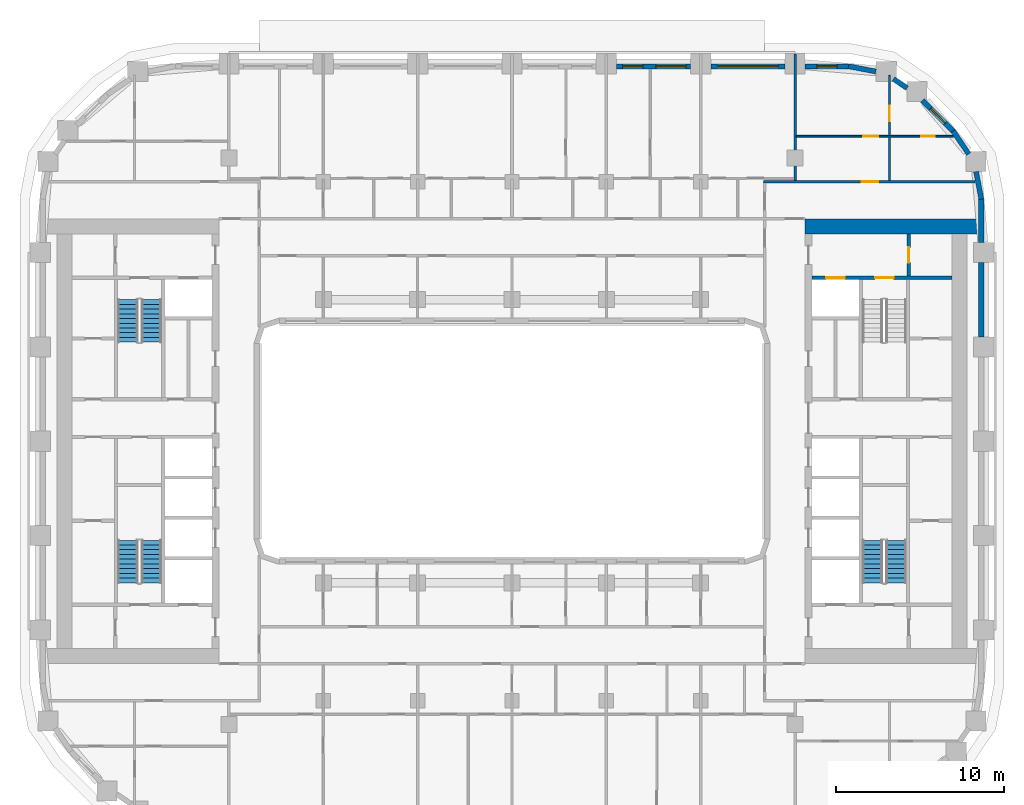
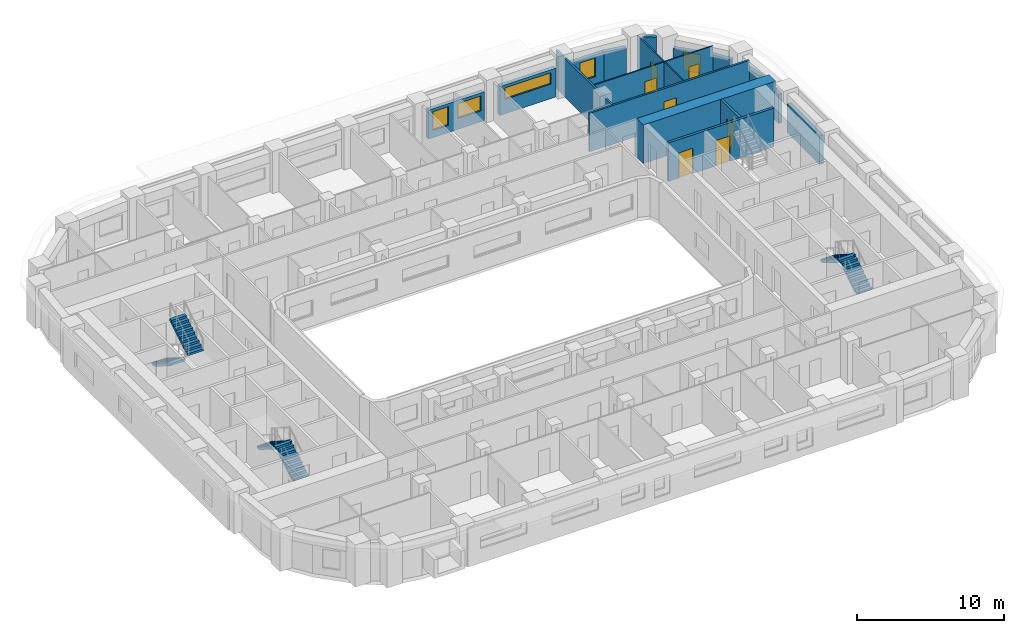
# One storey, part 11 of 23: 18 walls, 7 doors, 6 stair flights, 5 windows, 12 openings, 3 elements without a shape of their own.
"""IFC4 building model written with IfcOpenShell, lengths in metres."""

from ifc_helpers import new_model, si_unit, direction, frame, frame_2d, origin, place, context, subcontext, project, spatial, polyline, rectangle, outline, extrude, material, layer, layer_set, type_object, element, fill, aggregate, save


model = new_model("IFC4")

# Units and contexts
model_context = context("Model", 3, precision=1e-05, world=origin(), true_north=direction((0.0, 1.0)))
body_context = subcontext(model_context, "Body", "Model", "MODEL_VIEW")
ifc_project = project(units=[si_unit("LENGTHUNIT", "METRE"), si_unit("AREAUNIT", "SQUARE_METRE"), si_unit("VOLUMEUNIT", "CUBIC_METRE"), si_unit("PLANEANGLEUNIT", "RADIAN"), si_unit("MASSUNIT", "GRAM", prefix="KILO")], contexts=[model_context])

# Site, building, storey
site_placement = place(None, origin())
site = spatial("IfcSite", under=ifc_project, at=site_placement, CompositionType="ELEMENT")
building_placement = place(site_placement, origin())
building = spatial("IfcBuilding", under=site, at=building_placement, Name="Kiln Ring Residences", CompositionType="ELEMENT")
storey_placement = place(building_placement, frame((0.0, 0.0, 118.300048828125)))
storey = spatial("IfcBuildingStorey", under=building, at=storey_placement, Name="L30", CompositionType="ELEMENT", Elevation=118.300048828125)

# Wall, opening, door
ifc_material_1 = material(Name="Gypsum board on steel studs", Category="steel")
ifc_layer_1 = layer(ifc_material_1, 0.199951171875)
ifc_layer_set_1 = layer_set([ifc_layer_1], Name="CORE-PARTITION-200")
wall_type_1 = type_object("IfcWallType", Name="CORE-PARTITION-200", PredefinedType="PARTITIONING", material=ifc_layer_set_1)
wall_1_placement = place(storey_placement, frame((23.550048828125, 9.800048828125, 0.0), z_axis=(0.0, 0.0, 1.0), x_axis=(0.0, 1.0, 0.0)))
wall_1 = element("IfcWall", 1, at=wall_1_placement, inside=storey, type_object=wall_type_1, Name="Core partition east L30 4", PredefinedType="PARTITIONING", context=body_context, shape_type="SweptSolid", body=[
    extrude(rectangle(XDim=2.5, YDim=0.199951171875, at=frame_2d((1.25, 0.0))), origin(), (0.0, 0.0, 1.0), 3.199951171875),
])
opening_1_placement = place(wall_1_placement, frame((0.800048828125, 0.0, 0.0)))
opening_1 = element("IfcOpeningElement", 2, at=opening_1_placement, cuts=wall_1, Name="Opening L30-CE10", PredefinedType="OPENING", context=body_context, shape_type="SweptSolid", body=[
    extrude(rectangle(XDim=0.89990234375, YDim=2.10009765625, at=frame_2d((0.449951171875, 1.050048828125))), frame((0.0, 0.10986328125, 0.0), z_axis=(0.0, -1.0, 0.0), x_axis=(1.0, 0.0, 0.0)), (0.0, 0.0, 1.0), 0.219970703125),
])
ifc_material_2 = material(Name="Steel door leaf", Category="steel")
door_type_1 = type_object("IfcDoorType", Name="CORE-DOOR-ROOM", OperationType="SINGLE_SWING_LEFT", PredefinedType="DOOR", material=ifc_material_2)
door_1_placement = place(opening_1_placement, origin())
door_1 = element("IfcDoor", 3, at=door_1_placement, inside=storey, type_object=door_type_1, Name="Fire riser room L30-CE10", OperationType="SINGLE_SWING_LEFT", OverallHeight=2.10009765625, OverallWidth=0.89990234375, PredefinedType="DOOR", context=body_context, shape_type="SweptSolid", body=[
    extrude(rectangle(XDim=0.89990234375, YDim=2.10009765625, at=frame_2d((0.449951171875, 1.050048828125))), frame((0.0, 0.02490234375, 0.0), z_axis=(0.0, -1.0, 0.0), x_axis=(1.0, 0.0, 0.0)), (0.0, 0.0, 1.0), 0.050048828125),
])
fill(opening_1, door_1)

# Wall, openings, doors
ifc_material_3 = material(Name="Concrete C40/50", Category="concrete")
ifc_layer_2 = layer(ifc_material_3, 0.199951171875)
ifc_layer_set_2 = layer_set([ifc_layer_2], Name="CORE-WALL-RC200")
wall_type_2 = type_object("IfcWallType", Name="CORE-WALL-RC200", PredefinedType="SHEAR", material=ifc_layer_set_2)
wall_2_placement = place(storey_placement, frame((17.800048828125, 9.699951171875, 0.0), z_axis=(0.0, 0.0, 1.0), x_axis=(1.0, 0.0, 0.0)))
wall_2 = element("IfcWall", 4, at=wall_2_placement, inside=storey, type_object=wall_type_2, Name="Core wall east L30 9", PredefinedType="SHEAR", context=body_context, shape_type="SweptSolid", body=[
    extrude(rectangle(XDim=8.300048828125, YDim=0.199951171875, at=frame_2d((4.14990234375, 0.0))), origin(), (0.0, 0.0, 1.0), 3.199951171875),
])
opening_2_placement = place(wall_2_placement, frame((0.85009765625, 0.0, 0.0)))
opening_2 = element("IfcOpeningElement", 5, at=opening_2_placement, cuts=wall_2, Name="Opening L30-CE07", PredefinedType="OPENING", context=body_context, shape_type="SweptSolid", body=[
    extrude(rectangle(XDim=1.10009765625, YDim=2.10009765625, at=frame_2d((0.550048828125, 1.050048828125))), frame((0.0, 0.10986328125, 0.0), z_axis=(0.0, -1.0, 0.0), x_axis=(1.0, 0.0, 0.0)), (0.0, 0.0, 1.0), 0.219970703125),
])
opening_3_placement = place(wall_2_placement, frame((3.75, 0.0, 0.0)))
opening_3 = element("IfcOpeningElement", 6, at=opening_3_placement, cuts=wall_2, Name="Opening L30-CE12", PredefinedType="OPENING", context=body_context, shape_type="SweptSolid", body=[
    extrude(rectangle(XDim=1.10009765625, YDim=2.10009765625, at=frame_2d((0.550048828125, 1.050048828125))), frame((0.0, 0.10986328125, 0.0), z_axis=(0.0, -1.0, 0.0), x_axis=(1.0, 0.0, 0.0)), (0.0, 0.0, 1.0), 0.219970703125),
])
ifc_material_4 = material(Name="Steel door leaf", Category="steel")
door_type_2 = type_object("IfcDoorType", Name="CORE-DOOR-LD", OperationType="DOUBLE_DOOR_SLIDING", PredefinedType="DOOR", material=ifc_material_4)
door_2_placement = place(opening_2_placement, origin())
door_2 = element("IfcDoor", 7, at=door_2_placement, inside=storey, type_object=door_type_2, Name="LD E-FF L30-CE07", OperationType="DOUBLE_DOOR_SLIDING", OverallHeight=2.10009765625, OverallWidth=1.10009765625, PredefinedType="DOOR", context=body_context, shape_type="SweptSolid", body=[
    extrude(rectangle(XDim=1.10009765625, YDim=2.10009765625, at=frame_2d((0.550048828125, 1.050048828125))), frame((0.0, 0.02490234375, 0.0), z_axis=(0.0, -1.0, 0.0), x_axis=(1.0, 0.0, 0.0)), (0.0, 0.0, 1.0), 0.050048828125),
])
fill(opening_2, door_2)
ifc_material_5 = material(Name="Steel door leaf", Category="steel")
door_type_3 = type_object("IfcDoorType", Name="CORE-DOOR-STAIR", OperationType="SINGLE_SWING_LEFT", PredefinedType="DOOR", material=ifc_material_5)
door_3_placement = place(opening_3_placement, origin())
door_3 = element("IfcDoor", 8, at=door_3_placement, inside=storey, type_object=door_type_3, Name="Stair E-STN L30-CE12", OperationType="SINGLE_SWING_LEFT", OverallHeight=2.10009765625, OverallWidth=1.10009765625, PredefinedType="DOOR", context=body_context, shape_type="SweptSolid", body=[
    extrude(rectangle(XDim=1.10009765625, YDim=2.10009765625, at=frame_2d((0.550048828125, 1.050048828125))), frame((0.0, 0.02490234375, 0.0), z_axis=(0.0, -1.0, 0.0), x_axis=(1.0, 0.0, 0.0)), (0.0, 0.0, 1.0), 0.050048828125),
])
fill(opening_3, door_3)

# Walls
ifc_material_6 = material(Name="Concrete C60/75", Category="concrete")
ifc_layer_3 = layer(ifc_material_6, 0.89990234375)
ifc_layer_set_3 = layer_set([ifc_layer_3], Name="CORE-WALL-RC900")
wall_type_3 = type_object("IfcWallType", Name="CORE-WALL-RC900", PredefinedType="SHEAR", material=ifc_layer_set_3)
wall_3_placement = place(storey_placement, frame((17.39990234375, 12.75, 0.0), z_axis=(0.0, 0.0, 1.0), x_axis=(1.0, 0.0, 0.0)))
element("IfcWall", 9, at=wall_3_placement, inside=storey, type_object=wall_type_3, Name="Core wall east L30 4", PredefinedType="SHEAR", context=body_context, shape_type="SweptSolid", body=[
    extrude(rectangle(XDim=10.400146484375, YDim=0.89990234375, at=frame_2d((5.2001953125, 0.0))), origin(), (0.0, 0.0, 1.0), 3.199951171875),
])
ifc_material_7 = material(Name="Brick masonry, dark clay brick", Category="masonry")
ifc_layer_4 = layer(ifc_material_7, 0.300048828125)
ifc_layer_set_4 = layer_set([ifc_layer_4], Name="EW-300 BRICK WALL")
wall_type_4 = type_object("IfcWallType", Name="EW-300 BRICK WALL", PredefinedType="SOLIDWALL", material=ifc_layer_set_4)
wall_4_placement = place(storey_placement, frame((27.85009765625, 6.199951171875, 0.0), z_axis=(0.0, 0.0, 1.0), x_axis=(0.0, 1.0, 0.0)))
element("IfcWall", 10, at=wall_4_placement, inside=storey, type_object=wall_type_4, Name="Facade wall L30 21", PredefinedType="SOLIDWALL", context=body_context, shape_type="SweptSolid", body=[
    extrude(rectangle(XDim=4.400146484375, YDim=0.300048828125, at=frame_2d((2.2001953125, 0.0))), origin(), (0.0, 0.0, 1.0), 2.39990234375),
])
wall_5_placement = place(storey_placement, frame((27.85009765625, 11.800048828125, 0.0), z_axis=(0.0, 0.0, 1.0), x_axis=(0.0, 1.0, 0.0)))
element("IfcWall", 11, at=wall_5_placement, inside=storey, type_object=wall_type_4, Name="Facade wall L30 22", PredefinedType="SOLIDWALL", context=body_context, shape_type="SweptSolid", body=[
    extrude(rectangle(XDim=2.599853515625, YDim=0.300048828125, at=frame_2d((1.2998046875, 0.0))), origin(), (0.0, 0.0, 1.0), 2.39990234375),
])
for number, where, z_axis, x_axis, name in (
    (12, (27.8525390625, 14.371826171875, 0.0), (0.0, 0.0, 1.0), (-0.187349172861, 0.982293381546, 0.0), "Facade wall L30 23"),
    (13, (27.10986328125, 17.04296875, 0.0), (0.0, 0.0, 1.0), (-0.562060017944, 0.82709644917, 0.0), "Facade wall L30 24"),
):
    element("IfcWall", number, at=place(storey_placement, frame(where, z_axis=z_axis, x_axis=x_axis)), inside=storey, type_object=wall_type_4, Name=name, PredefinedType="SOLIDWALL", context=body_context, shape_type="SweptSolid", body=[
        extrude(rectangle(XDim=1.65625, YDim=0.300048828125, at=frame_2d((0.828125, 0.0))), origin(), (0.0, 0.0, 1.0), 2.39990234375),
    ])

# Wall, opening, window
wall_6_placement = place(storey_placement, frame((26.19677734375, 18.390869140625, 0.0), z_axis=(0.0, 0.0, 1.0), x_axis=(-0.707059830104, 0.707153729152, 0.0)))
wall_6 = element("IfcWall", 14, at=wall_6_placement, inside=storey, type_object=wall_type_4, Name="Facade wall L30 25", PredefinedType="SOLIDWALL", context=body_context, shape_type="SweptSolid", body=[
    extrude(rectangle(XDim=2.60009765625, YDim=0.300048828125, at=frame_2d((1.300048828125, 0.0))), origin(), (0.0, 0.0, 1.0), 2.39990234375),
])
opening_4_placement = place(wall_6_placement, frame((0.699951171875, 0.0, 0.60009765625)))
opening_4 = element("IfcOpeningElement", 15, at=opening_4_placement, cuts=wall_6, Name="Opening W1", PredefinedType="OPENING", context=body_context, shape_type="SweptSolid", body=[
    extrude(rectangle(XDim=1.199951171875, YDim=1.550048828125, at=frame_2d((0.60009765625, 0.77490234375))), frame((0.0, 0.159912109375, 0.0), z_axis=(0.0, -1.0, 0.0), x_axis=(1.0, 0.0, 0.0)), (0.0, 0.0, 1.0), 0.320068359375),
])
ifc_material_8 = material(Name="Aluminium frame with double glazing", Category="aluminium")
window_type_1 = type_object("IfcWindowType", Name="WINDOW 1200 x 1550", PartitioningType="SINGLE_PANEL", PredefinedType="WINDOW", material=ifc_material_8)
window_1_placement = place(opening_4_placement, origin())
window_1 = element("IfcWindow", 16, at=window_1_placement, inside=storey, type_object=window_type_1, Name="Window L30 13", OverallHeight=1.550048828125, OverallWidth=1.199951171875, PartitioningType="SINGLE_PANEL", PredefinedType="WINDOW", context=body_context, shape_type="SweptSolid", body=[
    extrude(rectangle(XDim=1.199951171875, YDim=1.550048828125, at=frame_2d((0.60009765625, 0.77490234375))), frame((0.0, 0.030029296875, 0.0), z_axis=(0.0, -1.0, 0.0), x_axis=(1.0, 0.0, 0.0)), (0.0, 0.0, 1.0), 0.06005859375),
])
fill(opening_4, window_1)

# Walls
wall_7_placement = place(storey_placement, frame((23.451171875, 20.96044921875, 0.0), z_axis=(0.0, 0.0, 1.0), x_axis=(-0.827019434577, 0.562173331661, 0.0)))
element("IfcWall", 17, at=wall_7_placement, inside=storey, type_object=wall_type_4, Name="Facade wall L30 26", PredefinedType="SOLIDWALL", context=body_context, shape_type="SweptSolid", body=[
    extrude(rectangle(XDim=0.97705078125, YDim=0.300048828125, at=frame_2d((0.488525390625, 0.0))), origin(), (0.0, 0.0, 1.0), 3.199951171875),
])
wall_8_placement = place(storey_placement, frame((21.5986328125, 21.9423828125, 0.0), z_axis=(0.0, 0.0, 1.0), x_axis=(-0.98228820662, 0.187376303559, 0.0)))
element("IfcWall", 18, at=wall_8_placement, inside=storey, type_object=wall_type_4, Name="Facade wall L30 27", PredefinedType="SOLIDWALL", context=body_context, shape_type="SweptSolid", body=[
    extrude(rectangle(XDim=1.656005859375, YDim=0.300048828125, at=frame_2d((0.828125, 0.0))), origin(), (0.0, 0.0, 1.0), 2.39990234375),
])

# Wall, opening, window
wall_9_placement = place(storey_placement, frame((20.0, 22.25, 0.0), z_axis=(0.0, 0.0, 1.0), x_axis=(-1.0, 0.0, 0.0)))
wall_9 = element("IfcWall", 19, at=wall_9_placement, inside=storey, type_object=wall_type_4, Name="Facade wall L30 28", PredefinedType="SOLIDWALL", context=body_context, shape_type="SweptSolid", body=[
    extrude(rectangle(XDim=2.60009765625, YDim=0.300048828125, at=frame_2d((1.300048828125, 0.0))), origin(), (0.0, 0.0, 1.0), 2.39990234375),
])
opening_5_placement = place(wall_9_placement, frame((0.699951171875, 0.0, 0.60009765625)))
opening_5 = element("IfcOpeningElement", 20, at=opening_5_placement, cuts=wall_9, Name="Opening W1", PredefinedType="OPENING", context=body_context, shape_type="SweptSolid", body=[
    extrude(rectangle(XDim=1.199951171875, YDim=1.550048828125, at=frame_2d((0.60009765625, 0.77490234375))), frame((0.0, 0.159912109375, 0.0), z_axis=(0.0, -1.0, 0.0), x_axis=(1.0, 0.0, 0.0)), (0.0, 0.0, 1.0), 0.320068359375),
])
window_2_placement = place(opening_5_placement, origin())
window_2 = element("IfcWindow", 21, at=window_2_placement, inside=storey, type_object=window_type_1, Name="Window L30 14", OverallHeight=1.550048828125, OverallWidth=1.199951171875, PartitioningType="SINGLE_PANEL", PredefinedType="WINDOW", context=body_context, shape_type="SweptSolid", body=[
    extrude(rectangle(XDim=1.199951171875, YDim=1.550048828125, at=frame_2d((0.60009765625, 0.77490234375))), frame((0.0, 0.030029296875, 0.0), z_axis=(0.0, -1.0, 0.0), x_axis=(1.0, 0.0, 0.0)), (0.0, 0.0, 1.0), 0.06005859375),
])
fill(opening_5, window_2)

wall_10_placement = place(storey_placement, frame((16.199951171875, 22.25, 0.0), z_axis=(0.0, 0.0, 1.0), x_axis=(-1.0, 0.0, 0.0)))
wall_10 = element("IfcWall", 22, at=wall_10_placement, inside=storey, type_object=wall_type_4, Name="Facade wall L30 29", PredefinedType="SOLIDWALL", context=body_context, shape_type="SweptSolid", body=[
    extrude(rectangle(XDim=4.39990234375, YDim=0.300048828125, at=frame_2d((2.199951171875, 0.0))), origin(), (0.0, 0.0, 1.0), 2.39990234375),
])
opening_6_placement = place(wall_10_placement, frame((0.39990234375, 0.0, 1.199951171875)))
opening_6 = element("IfcOpeningElement", 23, at=opening_6_placement, cuts=wall_10, Name="Opening W4", PredefinedType="OPENING", context=body_context, shape_type="SweptSolid", body=[
    extrude(rectangle(XDim=3.60009765625, YDim=0.949951171875, at=frame_2d((1.800048828125, 0.47509765625))), frame((0.0, 0.159912109375, 0.0), z_axis=(0.0, -1.0, 0.0), x_axis=(1.0, 0.0, 0.0)), (0.0, 0.0, 1.0), 0.320068359375),
])
ifc_material_9 = material(Name="Aluminium frame with double glazing", Category="aluminium")
window_type_2 = type_object("IfcWindowType", Name="WINDOW 3600 x 950", PartitioningType="SINGLE_PANEL", PredefinedType="WINDOW", material=ifc_material_9)
window_3_placement = place(opening_6_placement, origin())
window_3 = element("IfcWindow", 24, at=window_3_placement, inside=storey, type_object=window_type_2, Name="Window L30 15", OverallHeight=0.949951171875, OverallWidth=3.60009765625, PartitioningType="SINGLE_PANEL", PredefinedType="WINDOW", context=body_context, shape_type="SweptSolid", body=[
    extrude(rectangle(XDim=3.60009765625, YDim=0.949951171875, at=frame_2d((1.800048828125, 0.47509765625))), frame((0.0, 0.030029296875, 0.0), z_axis=(0.0, -1.0, 0.0), x_axis=(1.0, 0.0, 0.0)), (0.0, 0.0, 1.0), 0.06005859375),
])
fill(opening_6, window_3)

# Wall, openings, windows
wall_11_placement = place(storey_placement, frame((10.60009765625, 22.25, 0.0), z_axis=(0.0, 0.0, 1.0), x_axis=(-1.0, 0.0, 0.0)))
wall_11 = element("IfcWall", 25, at=wall_11_placement, inside=storey, type_object=wall_type_4, Name="Facade wall L30 30", PredefinedType="SOLIDWALL", context=body_context, shape_type="SweptSolid", body=[
    extrude(rectangle(XDim=4.400146484375, YDim=0.300048828125, at=frame_2d((2.2001953125, 0.0))), origin(), (0.0, 0.0, 1.0), 2.39990234375),
])
opening_7_placement = place(wall_11_placement, frame((0.262451171875, 0.0, 0.89990234375)))
opening_7 = element("IfcOpeningElement", 26, at=opening_7_placement, cuts=wall_11, Name="Opening W2", PredefinedType="OPENING", context=body_context, shape_type="SweptSolid", body=[
    extrude(rectangle(XDim=1.800048828125, YDim=1.25, at=frame_2d((0.89990234375, 0.625))), frame((0.0, 0.159912109375, 0.0), z_axis=(0.0, -1.0, 0.0), x_axis=(1.0, 0.0, 0.0)), (0.0, 0.0, 1.0), 0.320068359375),
])
opening_8_placement = place(wall_11_placement, frame((2.83740234375, 0.0, 0.60009765625)))
opening_8 = element("IfcOpeningElement", 27, at=opening_8_placement, cuts=wall_11, Name="Opening W1", PredefinedType="OPENING", context=body_context, shape_type="SweptSolid", body=[
    extrude(rectangle(XDim=1.199951171875, YDim=1.550048828125, at=frame_2d((0.60009765625, 0.77490234375))), frame((0.0, 0.159912109375, 0.0), z_axis=(0.0, -1.0, 0.0), x_axis=(1.0, 0.0, 0.0)), (0.0, 0.0, 1.0), 0.320068359375),
])
window_4_placement = place(opening_8_placement, origin())
window_4 = element("IfcWindow", 28, at=window_4_placement, inside=storey, type_object=window_type_1, Name="Window L30 17", OverallHeight=1.550048828125, OverallWidth=1.199951171875, PartitioningType="SINGLE_PANEL", PredefinedType="WINDOW", context=body_context, shape_type="SweptSolid", body=[
    extrude(rectangle(XDim=1.199951171875, YDim=1.550048828125, at=frame_2d((0.60009765625, 0.77490234375))), frame((0.0, 0.030029296875, 0.0), z_axis=(0.0, -1.0, 0.0), x_axis=(1.0, 0.0, 0.0)), (0.0, 0.0, 1.0), 0.06005859375),
])
fill(opening_8, window_4)
ifc_material_10 = material(Name="Aluminium frame with double glazing", Category="aluminium")
window_type_3 = type_object("IfcWindowType", Name="WINDOW 1800 x 1250", PartitioningType="SINGLE_PANEL", PredefinedType="WINDOW", material=ifc_material_10)
window_5_placement = place(opening_7_placement, origin())
window_5 = element("IfcWindow", 29, at=window_5_placement, inside=storey, type_object=window_type_3, Name="Window L30 16", OverallHeight=1.25, OverallWidth=1.800048828125, PartitioningType="SINGLE_PANEL", PredefinedType="WINDOW", context=body_context, shape_type="SweptSolid", body=[
    extrude(rectangle(XDim=1.800048828125, YDim=1.25, at=frame_2d((0.89990234375, 0.625))), frame((0.0, 0.030029296875, 0.0), z_axis=(0.0, -1.0, 0.0), x_axis=(1.0, 0.0, 0.0)), (0.0, 0.0, 1.0), 0.06005859375),
])
fill(opening_7, window_5)

# Wall, openings, doors
ifc_material_11 = material(Name="Gypsum board on steel studs", Category="steel")
ifc_layer_5 = layer(ifc_material_11, 0.10009765625)
ifc_layer_set_5 = layer_set([ifc_layer_5], Name="PARTITION-100")
wall_type_5 = type_object("IfcWallType", Name="PARTITION-100", PredefinedType="PARTITIONING", material=ifc_layer_set_5)
wall_12_placement = place(storey_placement, frame((16.875, 18.10009765625, 0.0), z_axis=(0.0, 0.0, 1.0), x_axis=(1.0, 0.0, 0.0)))
wall_12 = element("IfcWall", 30, at=wall_12_placement, inside=storey, type_object=wall_type_5, Name="Partition 013", PredefinedType="PARTITIONING", context=body_context, shape_type="SweptSolid", body=[
    extrude(rectangle(XDim=9.315185546875, YDim=0.10009765625, at=frame_2d((4.65771484375, 0.0))), origin(), (0.0, 0.0, 1.0), 3.199951171875),
])
opening_9_placement = place(wall_12_placement, frame((7.425048828125, 0.0, 0.0)))
opening_9 = element("IfcOpeningElement", 31, at=opening_9_placement, cuts=wall_12, Name="Opening L30-D036", PredefinedType="OPENING", context=body_context, shape_type="SweptSolid", body=[
    extrude(rectangle(XDim=0.800048828125, YDim=2.10009765625, at=frame_2d((0.39990234375, 1.050048828125))), frame((0.0, 0.06005859375, 0.0), z_axis=(0.0, -1.0, 0.0), x_axis=(1.0, 0.0, 0.0)), (0.0, 0.0, 1.0), 0.1201171875),
])
opening_10_placement = place(wall_12_placement, frame((3.97509765625, 0.0, 0.0)))
opening_10 = element("IfcOpeningElement", 32, at=opening_10_placement, cuts=wall_12, Name="Opening L30-D037", PredefinedType="OPENING", context=body_context, shape_type="SweptSolid", body=[
    extrude(rectangle(XDim=0.89990234375, YDim=2.10009765625, at=frame_2d((0.449951171875, 1.050048828125))), frame((0.0, 0.06005859375, 0.0), z_axis=(0.0, -1.0, 0.0), x_axis=(1.0, 0.0, 0.0)), (0.0, 0.0, 1.0), 0.1201171875),
])
ifc_material_12 = material(Name="Timber door leaf", Category="wood")
door_type_4 = type_object("IfcDoorType", Name="FLAT-DOOR-800-PL", OperationType="SINGLE_SWING_LEFT", PredefinedType="DOOR", material=ifc_material_12)
door_4_placement = place(opening_9_placement, origin())
door_4 = element("IfcDoor", 33, at=door_4_placement, inside=storey, type_object=door_type_4, Name="Door L30-D036", OperationType="SINGLE_SWING_RIGHT", OverallHeight=2.10009765625, OverallWidth=0.800048828125, PredefinedType="DOOR", context=body_context, shape_type="SweptSolid", body=[
    extrude(rectangle(XDim=0.800048828125, YDim=2.10009765625, at=frame_2d((0.39990234375, 1.050048828125))), frame((0.0, 0.02490234375, 0.0), z_axis=(0.0, -1.0, 0.0), x_axis=(1.0, 0.0, 0.0)), (0.0, 0.0, 1.0), 0.050048828125),
])
fill(opening_9, door_4)
ifc_material_13 = material(Name="Timber door leaf", Category="wood")
door_type_5 = type_object("IfcDoorType", Name="FLAT-DOOR-900-PL", OperationType="SINGLE_SWING_LEFT", PredefinedType="DOOR", material=ifc_material_13)
door_5_placement = place(opening_10_placement, origin())
door_5 = element("IfcDoor", 34, at=door_5_placement, inside=storey, type_object=door_type_5, Name="Door L30-D037", OperationType="SINGLE_SWING_LEFT", OverallHeight=2.10009765625, OverallWidth=0.89990234375, PredefinedType="DOOR", context=body_context, shape_type="SweptSolid", body=[
    extrude(rectangle(XDim=0.89990234375, YDim=2.10009765625, at=frame_2d((0.449951171875, 1.050048828125))), frame((0.0, 0.02490234375, 0.0), z_axis=(0.0, -1.0, 0.0), x_axis=(1.0, 0.0, 0.0)), (0.0, 0.0, 1.0), 0.050048828125),
])
fill(opening_10, door_5)

# Wall
wall_13_placement = place(storey_placement, frame((22.39990234375, 15.47509765625, 0.0), z_axis=(0.0, 0.0, 1.0), x_axis=(0.0, 1.0, 0.0)))
element("IfcWall", 35, at=wall_13_placement, inside=storey, type_object=wall_type_5, Name="Partition 078", PredefinedType="PARTITIONING", context=body_context, shape_type="SweptSolid", body=[
    extrude(rectangle(XDim=2.574951171875, YDim=0.10009765625, at=frame_2d((1.28759765625, 0.0))), origin(), (0.0, 0.0, 1.0), 3.199951171875),
])

# Wall, opening, door
wall_14_placement = place(storey_placement, frame((22.39990234375, 18.14990234375, 0.0), z_axis=(0.0, 0.0, 1.0), x_axis=(0.0, 1.0, 0.0)))
wall_14 = element("IfcWall", 36, at=wall_14_placement, inside=storey, type_object=wall_type_5, Name="Partition 079", PredefinedType="PARTITIONING", context=body_context, shape_type="SweptSolid", body=[
    extrude(rectangle(XDim=3.570068359375, YDim=0.10009765625, at=frame_2d((1.78515625, 0.0))), origin(), (0.0, 0.0, 1.0), 3.199951171875),
])
opening_11_placement = place(wall_14_placement, frame((0.85009765625, 0.0, 0.0)))
opening_11 = element("IfcOpeningElement", 37, at=opening_11_placement, cuts=wall_14, Name="Opening L30-D038", PredefinedType="OPENING", context=body_context, shape_type="SweptSolid", body=[
    extrude(rectangle(XDim=0.89990234375, YDim=2.10009765625, at=frame_2d((0.449951171875, 1.050048828125))), frame((0.0, 0.06005859375, 0.0), z_axis=(0.0, -1.0, 0.0), x_axis=(1.0, 0.0, 0.0)), (0.0, 0.0, 1.0), 0.1201171875),
])
door_6_placement = place(opening_11_placement, origin())
door_6 = element("IfcDoor", 38, at=door_6_placement, inside=storey, type_object=door_type_5, Name="Door L30-D038", OperationType="SINGLE_SWING_LEFT", OverallHeight=2.10009765625, OverallWidth=0.89990234375, PredefinedType="DOOR", context=body_context, shape_type="SweptSolid", body=[
    extrude(rectangle(XDim=0.89990234375, YDim=2.10009765625, at=frame_2d((0.449951171875, 1.050048828125))), frame((0.0, 0.02490234375, 0.0), z_axis=(0.0, -1.0, 0.0), x_axis=(1.0, 0.0, 0.0)), (0.0, 0.0, 1.0), 0.050048828125),
])
fill(opening_11, door_6)

ifc_material_14 = material(Name="Brick masonry partition", Category="masonry")
ifc_layer_6 = layer(ifc_material_14, 0.14990234375)
ifc_layer_set_6 = layer_set([ifc_layer_6], Name="PARTITION-150-ei60")
wall_type_6 = type_object("IfcWallType", Name="PARTITION-150-ei60", PredefinedType="PARTITIONING", material=ifc_layer_set_6)
wall_15_placement = place(storey_placement, frame((14.925048828125, 15.39990234375, 0.0), z_axis=(0.0, 0.0, 1.0), x_axis=(1.0, 0.0, 0.0)))
wall_15 = element("IfcWall", 39, at=wall_15_placement, inside=storey, type_object=wall_type_6, Name="Partition 010", PredefinedType="PARTITIONING", context=body_context, shape_type="SweptSolid", body=[
    extrude(rectangle(XDim=12.558837890625, YDim=0.14990234375, at=frame_2d((6.279296875, 0.0))), origin(), (0.0, 0.0, 1.0), 3.199951171875),
])
opening_12_placement = place(wall_15_placement, frame((5.824951171875, 0.0, 0.0)))
opening_12 = element("IfcOpeningElement", 40, at=opening_12_placement, cuts=wall_15, Name="Opening L30-D035", PredefinedType="OPENING", context=body_context, shape_type="SweptSolid", body=[
    extrude(rectangle(XDim=1.0, YDim=2.10009765625, at=frame_2d((0.5, 1.050048828125))), frame((0.0, 0.0849609375, 0.0), z_axis=(0.0, -1.0, 0.0), x_axis=(1.0, 0.0, 0.0)), (0.0, 0.0, 1.0), 0.169921875),
])
ifc_material_15 = material(Name="Steel faced fire door leaf", Category="steel")
door_type_6 = type_object("IfcDoorType", Name="FLAT-DOOR-1000-FR", OperationType="SINGLE_SWING_LEFT", PredefinedType="DOOR", material=ifc_material_15)
door_7_placement = place(opening_12_placement, origin())
door_7 = element("IfcDoor", 41, at=door_7_placement, inside=storey, type_object=door_type_6, Name="Door L30-D035", OperationType="SINGLE_SWING_LEFT", OverallHeight=2.10009765625, OverallWidth=1.0, PredefinedType="DOOR", context=body_context, shape_type="SweptSolid", body=[
    extrude(rectangle(XDim=1.0, YDim=2.10009765625, at=frame_2d((0.5, 1.050048828125))), frame((0.0, 0.02490234375, 0.0), z_axis=(0.0, -1.0, 0.0), x_axis=(1.0, 0.0, 0.0)), (0.0, 0.0, 1.0), 0.050048828125),
])
fill(opening_12, door_7)

# Wall
wall_16_placement = place(storey_placement, frame((16.800048828125, 15.47509765625, 0.0), z_axis=(0.0, 0.0, 1.0), x_axis=(0.0, 1.0, 0.0)))
element("IfcWall", 42, at=wall_16_placement, inside=storey, type_object=wall_type_6, Name="Partition 075", PredefinedType="PARTITIONING", context=body_context, shape_type="SweptSolid", body=[
    extrude(rectangle(XDim=7.5048828125, YDim=0.14990234375, at=frame_2d((3.75244140625, 0.0))), origin(), (0.0, 0.0, 1.0), 3.199951171875),
])

# Stair, stair flights
ifc_material_16 = material(Name="Concrete C40/50", Category="concrete")
stair_type = type_object("IfcStairType", Name="CORE-STAIR", PredefinedType="HALF_TURN_STAIR", material=ifc_material_16)
placement = place(storey_placement, origin())
stair_1 = element("IfcStair", 43, at=placement, inside=storey, type_object=stair_type, Name="L30 stair W-STN", PredefinedType="HALF_TURN_STAIR")
ifc_material_17 = material(Name="Concrete C40/50", Category="concrete")
stair_flight_type = type_object("IfcStairFlightType", Name="CORE-STAIR-FLIGHT", PredefinedType="STRAIGHT", material=ifc_material_17)
stair_flight_1_placement = place(storey_placement, frame((-22.800048828125, 8.39990234375, 0.0), z_axis=(0.0, 0.0, 1.0), x_axis=(0.0, -1.0, 0.0)))
stair_flight_1 = element("IfcStairFlight", 44, at=stair_flight_1_placement, type_object=stair_flight_type, Name="W-STN flight 1", NumberOfRisers=10, NumberOfTreads=9, PredefinedType="STRAIGHT", RiserHeight=0.175, TreadLength=0.28, context=body_context, shape_type="SweptSolid", body=[
    extrude(outline(polyline([(0.0, 0.0), (0.0, 0.175048828125), (0.280029296875, 0.175048828125), (0.280029296875, 0.35009765625), (0.56005859375, 0.35009765625), (0.56005859375, 0.52490234375), (0.840087890625, 0.52490234375), (0.840087890625, 0.699951171875), (1.1201171875, 0.699951171875), (1.1201171875, 0.875), (1.39990234375, 0.875), (1.39990234375, 1.050048828125), (1.679931640625, 1.050048828125), (1.679931640625, 1.22509765625), (1.9599609375, 1.22509765625), (1.9599609375, 1.39990234375), (2.239990234375, 1.39990234375), (2.239990234375, 1.574951171875), (2.52001953125, 1.574951171875), (2.52001953125, 1.75), (2.52001953125, 1.398193359375), (0.28271484375, 0.0), (0.0, 0.0)])), frame((0.0, 0.60009765625, 0.0), z_axis=(0.0, -1.0, 0.0), x_axis=(1.0, 0.0, 0.0)), (0.0, 0.0, 1.0), 1.199951171875),
])
stair_flight_2_placement = place(storey_placement, frame((-21.39990234375, 5.8798828125, 1.75), z_axis=(0.0, 0.0, 1.0), x_axis=(0.0, 1.0, 0.0)))
stair_flight_2 = element("IfcStairFlight", 45, at=stair_flight_2_placement, type_object=stair_flight_type, Name="W-STN flight 2", NumberOfRisers=10, NumberOfTreads=9, PredefinedType="STRAIGHT", RiserHeight=0.175, TreadLength=0.28, context=body_context, shape_type="SweptSolid", body=[
    extrude(outline(polyline([(0.0, 0.0), (0.0, 0.175048828125), (0.280029296875, 0.175048828125), (0.280029296875, 0.35009765625), (0.56005859375, 0.35009765625), (0.56005859375, 0.52490234375), (0.840087890625, 0.52490234375), (0.840087890625, 0.699951171875), (1.1201171875, 0.699951171875), (1.1201171875, 0.875), (1.39990234375, 0.875), (1.39990234375, 1.050048828125), (1.679931640625, 1.050048828125), (1.679931640625, 1.22509765625), (1.9599609375, 1.22509765625), (1.9599609375, 1.39990234375), (2.239990234375, 1.39990234375), (2.239990234375, 1.574951171875), (2.52001953125, 1.574951171875), (2.52001953125, 1.75), (2.52001953125, 1.398193359375), (0.28271484375, 0.0), (0.0, 0.0)])), frame((0.0, 0.60009765625, 0.0), z_axis=(0.0, -1.0, 0.0), x_axis=(1.0, 0.0, 0.0)), (0.0, 0.0, 1.0), 1.199951171875),
])
aggregate(stair_1, [stair_flight_1, stair_flight_2])

stair_2 = element("IfcStair", 46, at=placement, inside=storey, type_object=stair_type, Name="L30 stair W-STS", PredefinedType="HALF_TURN_STAIR")
stair_flight_3_placement = place(storey_placement, frame((-21.39990234375, -8.39990234375, 0.0), z_axis=(0.0, 0.0, 1.0), x_axis=(0.0, 1.0, 0.0)))
stair_flight_3 = element("IfcStairFlight", 47, at=stair_flight_3_placement, type_object=stair_flight_type, Name="W-STS flight 1", NumberOfRisers=10, NumberOfTreads=9, PredefinedType="STRAIGHT", RiserHeight=0.175, TreadLength=0.28, context=body_context, shape_type="SweptSolid", body=[
    extrude(outline(polyline([(0.0, 0.0), (0.0, 0.175048828125), (0.280029296875, 0.175048828125), (0.280029296875, 0.35009765625), (0.56005859375, 0.35009765625), (0.56005859375, 0.52490234375), (0.840087890625, 0.52490234375), (0.840087890625, 0.699951171875), (1.1201171875, 0.699951171875), (1.1201171875, 0.875), (1.39990234375, 0.875), (1.39990234375, 1.050048828125), (1.679931640625, 1.050048828125), (1.679931640625, 1.22509765625), (1.9599609375, 1.22509765625), (1.9599609375, 1.39990234375), (2.239990234375, 1.39990234375), (2.239990234375, 1.574951171875), (2.52001953125, 1.574951171875), (2.52001953125, 1.75), (2.52001953125, 1.398193359375), (0.28271484375, 0.0), (0.0, 0.0)])), frame((0.0, 0.60009765625, 0.0), z_axis=(0.0, -1.0, 0.0), x_axis=(1.0, 0.0, 0.0)), (0.0, 0.0, 1.0), 1.199951171875),
])
stair_flight_4_placement = place(storey_placement, frame((-22.800048828125, -5.8798828125, 1.75), z_axis=(0.0, 0.0, 1.0), x_axis=(0.0, -1.0, 0.0)))
stair_flight_4 = element("IfcStairFlight", 48, at=stair_flight_4_placement, type_object=stair_flight_type, Name="W-STS flight 2", NumberOfRisers=10, NumberOfTreads=9, PredefinedType="STRAIGHT", RiserHeight=0.175, TreadLength=0.28, context=body_context, shape_type="SweptSolid", body=[
    extrude(outline(polyline([(0.0, 0.0), (0.0, 0.175048828125), (0.280029296875, 0.175048828125), (0.280029296875, 0.35009765625), (0.56005859375, 0.35009765625), (0.56005859375, 0.52490234375), (0.840087890625, 0.52490234375), (0.840087890625, 0.699951171875), (1.1201171875, 0.699951171875), (1.1201171875, 0.875), (1.39990234375, 0.875), (1.39990234375, 1.050048828125), (1.679931640625, 1.050048828125), (1.679931640625, 1.22509765625), (1.9599609375, 1.22509765625), (1.9599609375, 1.39990234375), (2.239990234375, 1.39990234375), (2.239990234375, 1.574951171875), (2.52001953125, 1.574951171875), (2.52001953125, 1.75), (2.52001953125, 1.398193359375), (0.28271484375, 0.0), (0.0, 0.0)])), frame((0.0, 0.60009765625, 0.0), z_axis=(0.0, -1.0, 0.0), x_axis=(1.0, 0.0, 0.0)), (0.0, 0.0, 1.0), 1.199951171875),
])
aggregate(stair_2, [stair_flight_3, stair_flight_4])

stair_3 = element("IfcStair", 49, at=placement, inside=storey, type_object=stair_type, Name="L30 stair E-STS", PredefinedType="HALF_TURN_STAIR")
stair_flight_5_placement = place(storey_placement, frame((22.800048828125, -8.39990234375, 0.0), z_axis=(0.0, 0.0, 1.0), x_axis=(0.0, 1.0, 0.0)))
stair_flight_5 = element("IfcStairFlight", 50, at=stair_flight_5_placement, type_object=stair_flight_type, Name="E-STS flight 1", NumberOfRisers=10, NumberOfTreads=9, PredefinedType="STRAIGHT", RiserHeight=0.175, TreadLength=0.28, context=body_context, shape_type="SweptSolid", body=[
    extrude(outline(polyline([(0.0, 0.0), (0.0, 0.175048828125), (0.280029296875, 0.175048828125), (0.280029296875, 0.35009765625), (0.56005859375, 0.35009765625), (0.56005859375, 0.52490234375), (0.840087890625, 0.52490234375), (0.840087890625, 0.699951171875), (1.1201171875, 0.699951171875), (1.1201171875, 0.875), (1.39990234375, 0.875), (1.39990234375, 1.050048828125), (1.679931640625, 1.050048828125), (1.679931640625, 1.22509765625), (1.9599609375, 1.22509765625), (1.9599609375, 1.39990234375), (2.239990234375, 1.39990234375), (2.239990234375, 1.574951171875), (2.52001953125, 1.574951171875), (2.52001953125, 1.75), (2.52001953125, 1.398193359375), (0.28271484375, 0.0), (0.0, 0.0)])), frame((0.0, 0.60009765625, 0.0), z_axis=(0.0, -1.0, 0.0), x_axis=(1.0, 0.0, 0.0)), (0.0, 0.0, 1.0), 1.199951171875),
])
stair_flight_6_placement = place(storey_placement, frame((21.39990234375, -5.8798828125, 1.75), z_axis=(0.0, 0.0, 1.0), x_axis=(0.0, -1.0, 0.0)))
stair_flight_6 = element("IfcStairFlight", 51, at=stair_flight_6_placement, type_object=stair_flight_type, Name="E-STS flight 2", NumberOfRisers=10, NumberOfTreads=9, PredefinedType="STRAIGHT", RiserHeight=0.175, TreadLength=0.28, context=body_context, shape_type="SweptSolid", body=[
    extrude(outline(polyline([(0.0, 0.0), (0.0, 0.175048828125), (0.280029296875, 0.175048828125), (0.280029296875, 0.35009765625), (0.56005859375, 0.35009765625), (0.56005859375, 0.52490234375), (0.840087890625, 0.52490234375), (0.840087890625, 0.699951171875), (1.1201171875, 0.699951171875), (1.1201171875, 0.875), (1.39990234375, 0.875), (1.39990234375, 1.050048828125), (1.679931640625, 1.050048828125), (1.679931640625, 1.22509765625), (1.9599609375, 1.22509765625), (1.9599609375, 1.39990234375), (2.239990234375, 1.39990234375), (2.239990234375, 1.574951171875), (2.52001953125, 1.574951171875), (2.52001953125, 1.75), (2.52001953125, 1.398193359375), (0.28271484375, 0.0), (0.0, 0.0)])), frame((0.0, 0.60009765625, 0.0), z_axis=(0.0, -1.0, 0.0), x_axis=(1.0, 0.0, 0.0)), (0.0, 0.0, 1.0), 1.199951171875),
])
aggregate(stair_3, [stair_flight_5, stair_flight_6])

save(model, "model.ifc")
